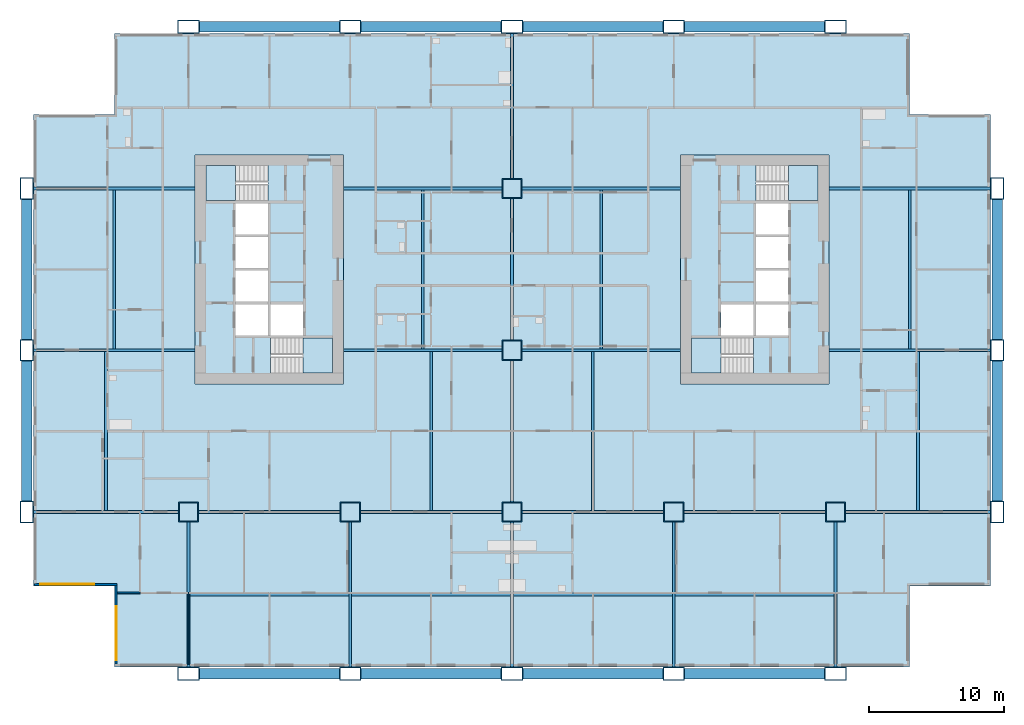
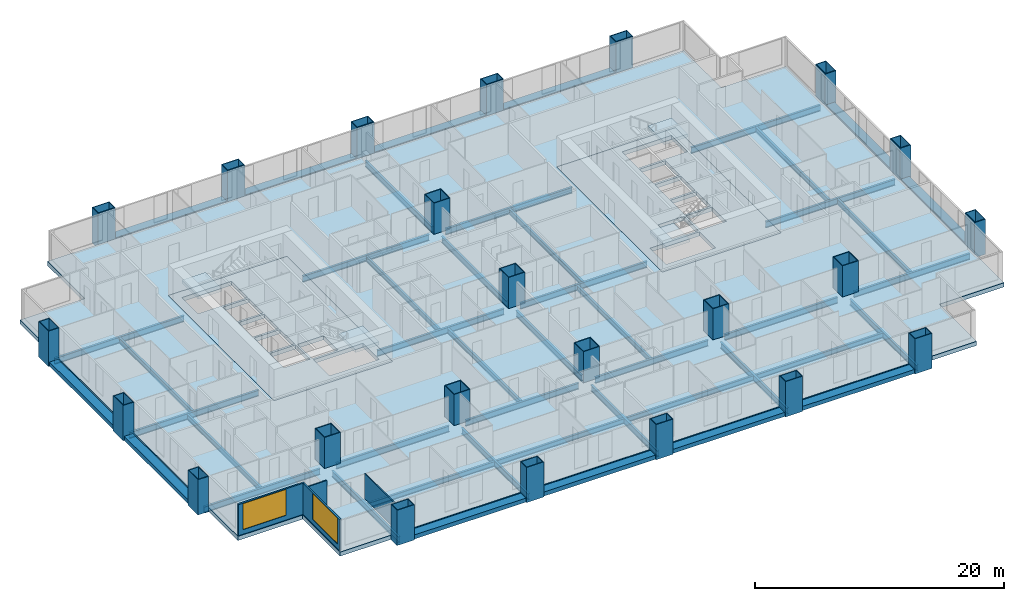
# One storey, part 1 of 14: 46 beams, 23 columns, 7 slabs, 4 walls, 2 windows, 2 openings, 4 elements without a shape of their own.
"""IFC4 building model written with IfcOpenShell, lengths in metres."""

from ifc_helpers import new_model, si_unit, direction, frame, frame_2d, origin, origin_2d, place, context, subcontext, project, spatial, polyline, rectangle, hollow_rectangle, i_section, outline, extrude, material, layer, layer_set, material_profile, profile_set, type_object, element, fill, aggregate, save


model = new_model("IFC4")

# Units and contexts
model_context = context("Model", 3, precision=1e-05, world=origin(), true_north=direction((0.0, 1.0)))
body_context = subcontext(model_context, "Body", "Model", "MODEL_VIEW")
ifc_project = project(units=[si_unit("LENGTHUNIT", "METRE"), si_unit("AREAUNIT", "SQUARE_METRE"), si_unit("VOLUMEUNIT", "CUBIC_METRE"), si_unit("PLANEANGLEUNIT", "RADIAN"), si_unit("MASSUNIT", "GRAM", prefix="KILO")], contexts=[model_context])

# Site, building, storey
site_placement = place(None, origin())
site = spatial("IfcSite", under=ifc_project, at=site_placement, CompositionType="ELEMENT")
building_placement = place(site_placement, origin())
building = spatial("IfcBuilding", under=site, at=building_placement, Name="Kitamizu Gate Tower and Museum", CompositionType="ELEMENT")
storey_placement = place(building_placement, frame((0.0, 0.0, 64.5)))
storey = spatial("IfcBuildingStorey", under=building, at=storey_placement, Name="L15", CompositionType="ELEMENT", Elevation=64.5)

# Columns
ifc_material_1 = material(Name="Steel SM490A bronze coated", Category="steel")
ifc_material_profile_1 = material_profile(ifc_material_1, hollow_rectangle(XDim=1.60009765625, YDim=1.0, WallThickness=0.06494140625, at=origin_2d()), Name="BOX 1600x1000x65")
ifc_profile_set_1 = profile_set([ifc_material_profile_1], Name="Steel SM490A bronze coated")
column_type_1 = type_object("IfcColumnType", Name="Exoskeleton column XC3 BOX 1600x1000x65", PredefinedType="COLUMN", material=ifc_profile_set_1)
for number, where, z_axis, x_axis, name in (
    (1, (0.0, 12.0, -0.39990234375), (0.0, 0.0, 1.0), (0.0, 1.0, 0.0), "Column XC3 1B L15"),
    (2, (0.0, 24.0, -0.39990234375), (0.0, 0.0, 1.0), (0.0, 1.0, 0.0), "Column XC3 1C L15"),
    (3, (0.0, 36.0, -0.39990234375), (0.0, 0.0, 1.0), (0.0, 1.0, 0.0), "Column XC3 1D L15"),
    (4, (12.0, 0.0, -0.39990234375), (0.0, 0.0, 1.0), (1.0, 0.0, 0.0), "Column XC3 2A L15"),
    (5, (12.0, 48.0, -0.39990234375), (0.0, 0.0, 1.0), (1.0, 0.0, 0.0), "Column XC3 2E L15"),
    (6, (24.0, 0.0, -0.39990234375), (0.0, 0.0, 1.0), (1.0, 0.0, 0.0), "Column XC3 3A L15"),
    (7, (24.0, 48.0, -0.39990234375), (0.0, 0.0, 1.0), (1.0, 0.0, 0.0), "Column XC3 3E L15"),
    (8, (36.0, 0.0, -0.39990234375), (0.0, 0.0, 1.0), (1.0, 0.0, 0.0), "Column XC3 4A L15"),
    (9, (36.0, 48.0, -0.39990234375), (0.0, 0.0, 1.0), (1.0, 0.0, 0.0), "Column XC3 4E L15"),
    (10, (48.0, 0.0, -0.39990234375), (0.0, 0.0, 1.0), (1.0, 0.0, 0.0), "Column XC3 5A L15"),
    (11, (48.0, 48.0, -0.39990234375), (0.0, 0.0, 1.0), (1.0, 0.0, 0.0), "Column XC3 5E L15"),
    (12, (60.0, 0.0, -0.39990234375), (0.0, 0.0, 1.0), (1.0, 0.0, 0.0), "Column XC3 6A L15"),
    (13, (60.0, 48.0, -0.39990234375), (0.0, 0.0, 1.0), (1.0, 0.0, 0.0), "Column XC3 6E L15"),
    (14, (72.0, 12.0, -0.39990234375), (0.0, 0.0, 1.0), (0.0, 1.0, 0.0), "Column XC3 7B L15"),
    (15, (72.0, 24.0, -0.39990234375), (0.0, 0.0, 1.0), (0.0, 1.0, 0.0), "Column XC3 7C L15"),
    (16, (72.0, 36.0, -0.39990234375), (0.0, 0.0, 1.0), (0.0, 1.0, 0.0), "Column XC3 7D L15"),
):
    element("IfcColumn", number, at=place(storey_placement, frame(where, z_axis=z_axis, x_axis=x_axis)), inside=storey, type_object=column_type_1, Name=name, PredefinedType="COLUMN", context=body_context, shape_type="SweptSolid", body=[
        extrude(hollow_rectangle(XDim=1.60009765625, YDim=1.0, WallThickness=0.06494140625, at=origin_2d()), origin(), (0.0, 0.0, 1.0), 3.449951171875),
    ])
ifc_material_2 = material(Name="Steel SM490A", Category="steel")
ifc_material_profile_2 = material_profile(ifc_material_2, hollow_rectangle(XDim=1.5, YDim=1.5, WallThickness=0.06494140625, at=origin_2d()), Name="BOX 1500x1500x65")
ifc_profile_set_2 = profile_set([ifc_material_profile_2], Name="Steel SM490A")
column_type_2 = type_object("IfcColumnType", Name="Interior column IC2 BOX 1500x1500x65", PredefinedType="COLUMN", material=ifc_profile_set_2)
for number, where, z_axis, x_axis, name in (
    (17, (12.0, 12.0, 0.0), (0.0, 0.0, 1.0), (1.0, 0.0, 0.0), "Column IC2 2B L15"),
    (18, (24.0, 12.0, 0.0), (0.0, 0.0, 1.0), (1.0, 0.0, 0.0), "Column IC2 3B L15"),
    (19, (36.0, 12.0, 0.0), (0.0, 0.0, 1.0), (1.0, 0.0, 0.0), "Column IC2 4B L15"),
    (20, (36.0, 24.0, 0.0), (0.0, 0.0, 1.0), (1.0, 0.0, 0.0), "Column IC2 4C L15"),
    (21, (36.0, 36.0, 0.0), (0.0, 0.0, 1.0), (1.0, 0.0, 0.0), "Column IC2 4D L15"),
    (22, (48.0, 12.0, 0.0), (0.0, 0.0, 1.0), (1.0, 0.0, 0.0), "Column IC2 5B L15"),
    (23, (60.0, 12.0, 0.0), (0.0, 0.0, 1.0), (1.0, 0.0, 0.0), "Column IC2 6B L15"),
):
    element("IfcColumn", number, at=place(storey_placement, frame(where, z_axis=z_axis, x_axis=x_axis)), inside=storey, type_object=column_type_2, Name=name, PredefinedType="COLUMN", context=body_context, shape_type="SweptSolid", body=[
        extrude(hollow_rectangle(XDim=1.5, YDim=1.5, WallThickness=0.06494140625, at=origin_2d()), origin(), (0.0, 0.0, 1.0), 3.050048828125),
    ])

# Beams
ifc_material_3 = material(Name="Steel SM490A bronze coated", Category="steel")
ifc_material_profile_3 = material_profile(ifc_material_3, hollow_rectangle(XDim=0.800048828125, YDim=0.39990234375, WallThickness=0.0400390625, at=origin_2d()), Name="BOX 800x400x40")
ifc_profile_set_3 = profile_set([ifc_material_profile_3], Name="Steel SM490A bronze coated")
beam_type_1 = type_object("IfcBeamType", Name="Exoskeleton spandrel beam SB1 BOX 800x400x40", PredefinedType="SPANDREL", material=ifc_profile_set_3)
for number, where, z_axis, x_axis, name in (
    (24, (12.800048828125, 0.0, -0.199951171875), (1.0, 0.0, 0.0), (0.0, 1.0, 0.0), "Exoskeleton spandrel beam south 12 L15"),
    (25, (24.800048828125, 0.0, -0.199951171875), (1.0, 0.0, 0.0), (0.0, 1.0, 0.0), "Exoskeleton spandrel beam south 24 L15"),
    (26, (36.800048828125, 0.0, -0.199951171875), (1.0, 0.0, 0.0), (0.0, 1.0, 0.0), "Exoskeleton spandrel beam south 36 L15"),
    (27, (48.800048828125, 0.0, -0.199951171875), (1.0, 0.0, 0.0), (0.0, 1.0, 0.0), "Exoskeleton spandrel beam south 48 L15"),
    (28, (12.800048828125, 48.0, -0.199951171875), (1.0, 0.0, 0.0), (0.0, 1.0, 0.0), "Exoskeleton spandrel beam north 12 L15"),
    (29, (24.800048828125, 48.0, -0.199951171875), (1.0, 0.0, 0.0), (0.0, 1.0, 0.0), "Exoskeleton spandrel beam north 24 L15"),
    (30, (36.800048828125, 48.0, -0.199951171875), (1.0, 0.0, 0.0), (0.0, 1.0, 0.0), "Exoskeleton spandrel beam north 36 L15"),
    (31, (48.800048828125, 48.0, -0.199951171875), (1.0, 0.0, 0.0), (0.0, 1.0, 0.0), "Exoskeleton spandrel beam north 48 L15"),
    (32, (0.0, 12.800048828125, -0.199951171875), (0.0, 1.0, 0.0), (-1.0, 0.0, 0.0), "Exoskeleton spandrel beam west 12 L15"),
    (33, (0.0, 24.800048828125, -0.199951171875), (0.0, 1.0, 0.0), (-1.0, 0.0, 0.0), "Exoskeleton spandrel beam west 24 L15"),
    (34, (72.0, 12.800048828125, -0.199951171875), (0.0, 1.0, 0.0), (-1.0, 0.0, 0.0), "Exoskeleton spandrel beam east 12 L15"),
    (35, (72.0, 24.800048828125, -0.199951171875), (0.0, 1.0, 0.0), (-1.0, 0.0, 0.0), "Exoskeleton spandrel beam east 24 L15"),
):
    element("IfcBeam", number, at=place(storey_placement, frame(where, z_axis=z_axis, x_axis=x_axis)), inside=storey, type_object=beam_type_1, Name=name, PredefinedType="SPANDREL", context=body_context, shape_type="SweptSolid", body=[
        extrude(hollow_rectangle(XDim=0.800048828125, YDim=0.39990234375, WallThickness=0.0400390625, at=origin_2d()), origin(), (0.0, 0.0, 1.0), 10.39990234375),
    ])
ifc_material_4 = material(Name="Steel SM490A", Category="steel")
ifc_material_profile_4 = material_profile(ifc_material_4, i_section(OverallWidth=0.199951171875, OverallDepth=0.5, WebThickness=0.010009765625, FlangeThickness=0.01611328125, FilletRadius=0.02001953125, at=origin_2d()), Name="H-500x200x10x16")
ifc_profile_set_4 = profile_set([ifc_material_profile_4], Name="Steel SM490A")
beam_type_2 = type_object("IfcBeamType", Name="Floor beam FB1 H 500x200x10x16", PredefinedType="BEAM", material=ifc_profile_set_4)
for number, where, z_axis, x_axis, name in (
    (36, (12.10009765625, 5.875, -0.64990234375), (1.0, 0.0, 0.0), (0.0, 1.0, 0.0), "Floor beam FB1 L15-1"),
    (37, (24.10009765625, 5.875, -0.64990234375), (1.0, 0.0, 0.0), (0.0, 1.0, 0.0), "Floor beam FB1 L15-2"),
    (38, (36.10009765625, 5.875, -0.64990234375), (1.0, 0.0, 0.0), (0.0, 1.0, 0.0), "Floor beam FB1 L15-3"),
    (39, (48.10009765625, 5.875, -0.64990234375), (1.0, 0.0, 0.0), (0.0, 1.0, 0.0), "Floor beam FB1 L15-4"),
    (40, (5.875, 12.10009765625, -0.64990234375), (0.0, 1.0, 0.0), (-1.0, 0.0, 0.0), "Floor beam FB1 L15-5"),
    (41, (30.0, 12.10009765625, -0.64990234375), (0.0, 1.0, 0.0), (-1.0, 0.0, 0.0), "Floor beam FB1 L15-6"),
    (42, (42.0, 12.10009765625, -0.64990234375), (0.0, 1.0, 0.0), (-1.0, 0.0, 0.0), "Floor beam FB1 L15-7"),
    (43, (66.125, 12.10009765625, -0.64990234375), (0.0, 1.0, 0.0), (-1.0, 0.0, 0.0), "Floor beam FB1 L15-8"),
    (44, (6.5, 24.10009765625, -0.64990234375), (0.0, 1.0, 0.0), (-1.0, 0.0, 0.0), "Floor beam FB1 L15-9"),
    (45, (29.375, 24.10009765625, -0.64990234375), (0.0, 1.0, 0.0), (-1.0, 0.0, 0.0), "Floor beam FB1 L15-10"),
    (46, (42.625, 24.10009765625, -0.64990234375), (0.0, 1.0, 0.0), (-1.0, 0.0, 0.0), "Floor beam FB1 L15-11"),
    (47, (65.5, 24.10009765625, -0.64990234375), (0.0, 1.0, 0.0), (-1.0, 0.0, 0.0), "Floor beam FB1 L15-12"),
):
    element("IfcBeam", number, at=place(storey_placement, frame(where, z_axis=z_axis, x_axis=x_axis)), inside=storey, type_object=beam_type_2, Name=name, PredefinedType="BEAM", context=body_context, shape_type="SweptSolid", body=[
        extrude(i_section(OverallWidth=0.199951171875, OverallDepth=0.5, WebThickness=0.010009765625, FlangeThickness=0.01611328125, FilletRadius=0.02001953125, at=origin_2d()), origin(), (0.0, 0.0, 1.0), 11.7998046875),
    ])
ifc_material_5 = material(Name="Steel SM490A", Category="steel")
ifc_material_profile_5 = material_profile(ifc_material_5, i_section(OverallWidth=0.199951171875, OverallDepth=0.60009765625, WebThickness=0.010986328125, FlangeThickness=0.01708984375, FilletRadius=0.02197265625, at=origin_2d()), Name="H-600x200x11x17")
ifc_profile_set_5 = profile_set([ifc_material_profile_5], Name="Steel SM490A")
beam_type_3 = type_object("IfcBeamType", Name="Floor girder FG1 H 600x200x11x17", PredefinedType="BEAM", material=ifc_profile_set_5)
for number, where, z_axis, x_axis, name in (
    (48, (12.0, 0.5, -0.699951171875), (0.0, 1.0, 0.0), (-1.0, 0.0, 0.0), "Floor girder FG1 x12 L15"),
    (49, (24.0, 0.5, -0.699951171875), (0.0, 1.0, 0.0), (-1.0, 0.0, 0.0), "Floor girder FG1 x24 L15"),
    (50, (36.0, 0.5, -0.699951171875), (0.0, 1.0, 0.0), (-1.0, 0.0, 0.0), "Floor girder FG1 x36 L15"),
):
    element("IfcBeam", number, at=place(storey_placement, frame(where, z_axis=z_axis, x_axis=x_axis)), inside=storey, type_object=beam_type_3, Name=name, PredefinedType="BEAM", context=body_context, shape_type="SweptSolid", body=[
        extrude(i_section(OverallWidth=0.199951171875, OverallDepth=0.60009765625, WebThickness=0.010986328125, FlangeThickness=0.01708984375, FilletRadius=0.02197265625, at=origin_2d()), origin(), (0.0, 0.0, 1.0), 10.75),
    ])
for number, where, z_axis, x_axis, name in (
    (51, (36.0, 12.75, -0.699951171875), (0.0, 1.0, 0.0), (-1.0, 0.0, 0.0), "Floor girder FG1 x36 L15"),
    (52, (36.0, 24.75, -0.699951171875), (0.0, 1.0, 0.0), (-1.0, 0.0, 0.0), "Floor girder FG1 x36 L15"),
):
    element("IfcBeam", number, at=place(storey_placement, frame(where, z_axis=z_axis, x_axis=x_axis)), inside=storey, type_object=beam_type_3, Name=name, PredefinedType="BEAM", context=body_context, shape_type="SweptSolid", body=[
        extrude(i_section(OverallWidth=0.199951171875, OverallDepth=0.60009765625, WebThickness=0.010986328125, FlangeThickness=0.01708984375, FilletRadius=0.02197265625, at=origin_2d()), origin(), (0.0, 0.0, 1.0), 10.5),
    ])
for number, where, z_axis, x_axis, name in (
    (53, (36.0, 36.75, -0.699951171875), (0.0, 1.0, 0.0), (-1.0, 0.0, 0.0), "Floor girder FG1 x36 L15"),
    (54, (48.0, 0.5, -0.699951171875), (0.0, 1.0, 0.0), (-1.0, 0.0, 0.0), "Floor girder FG1 x48 L15"),
    (55, (60.0, 0.5, -0.699951171875), (0.0, 1.0, 0.0), (-1.0, 0.0, 0.0), "Floor girder FG1 x60 L15"),
    (56, (0.5, 12.0, -0.699951171875), (1.0, 0.0, 0.0), (0.0, 1.0, 0.0), "Floor girder FG1 y12 L15"),
):
    element("IfcBeam", number, at=place(storey_placement, frame(where, z_axis=z_axis, x_axis=x_axis)), inside=storey, type_object=beam_type_3, Name=name, PredefinedType="BEAM", context=body_context, shape_type="SweptSolid", body=[
        extrude(i_section(OverallWidth=0.199951171875, OverallDepth=0.60009765625, WebThickness=0.010986328125, FlangeThickness=0.01708984375, FilletRadius=0.02197265625, at=origin_2d()), origin(), (0.0, 0.0, 1.0), 10.75),
    ])
for number, where, z_axis, x_axis, name in (
    (57, (12.75, 12.0, -0.699951171875), (1.0, 0.0, 0.0), (0.0, 1.0, 0.0), "Floor girder FG1 y12 L15"),
    (58, (24.75, 12.0, -0.699951171875), (1.0, 0.0, 0.0), (0.0, 1.0, 0.0), "Floor girder FG1 y12 L15"),
    (59, (36.75, 12.0, -0.699951171875), (1.0, 0.0, 0.0), (0.0, 1.0, 0.0), "Floor girder FG1 y12 L15"),
    (60, (48.75, 12.0, -0.699951171875), (1.0, 0.0, 0.0), (0.0, 1.0, 0.0), "Floor girder FG1 y12 L15"),
):
    element("IfcBeam", number, at=place(storey_placement, frame(where, z_axis=z_axis, x_axis=x_axis)), inside=storey, type_object=beam_type_3, Name=name, PredefinedType="BEAM", context=body_context, shape_type="SweptSolid", body=[
        extrude(i_section(OverallWidth=0.199951171875, OverallDepth=0.60009765625, WebThickness=0.010986328125, FlangeThickness=0.01708984375, FilletRadius=0.02197265625, at=origin_2d()), origin(), (0.0, 0.0, 1.0), 10.5),
    ])
beam_1_placement = place(storey_placement, frame((60.75, 12.0, -0.699951171875), z_axis=(1.0, 0.0, 0.0), x_axis=(0.0, 1.0, 0.0)))
element("IfcBeam", 61, at=beam_1_placement, inside=storey, type_object=beam_type_3, Name="Floor girder FG1 y12 L15", PredefinedType="BEAM", context=body_context, shape_type="SweptSolid", body=[
    extrude(i_section(OverallWidth=0.199951171875, OverallDepth=0.60009765625, WebThickness=0.010986328125, FlangeThickness=0.01708984375, FilletRadius=0.02197265625, at=origin_2d()), origin(), (0.0, 0.0, 1.0), 10.75),
])
beam_2_placement = place(storey_placement, frame((0.5, 24.0, -0.699951171875), z_axis=(1.0, 0.0, 0.0), x_axis=(0.0, 1.0, 0.0)))
element("IfcBeam", 62, at=beam_2_placement, inside=storey, type_object=beam_type_3, Name="Floor girder FG1 y24 L15", PredefinedType="BEAM", context=body_context, shape_type="SweptSolid", body=[
    extrude(i_section(OverallWidth=0.199951171875, OverallDepth=0.60009765625, WebThickness=0.010986328125, FlangeThickness=0.01708984375, FilletRadius=0.02197265625, at=origin_2d()), origin(), (0.0, 0.0, 1.0), 12.0),
])
for number, where, z_axis, x_axis, name in (
    (63, (23.5, 24.0, -0.699951171875), (1.0, 0.0, 0.0), (0.0, 1.0, 0.0), "Floor girder FG1 y24 L15"),
    (64, (36.75, 24.0, -0.699951171875), (1.0, 0.0, 0.0), (0.0, 1.0, 0.0), "Floor girder FG1 y24 L15"),
):
    element("IfcBeam", number, at=place(storey_placement, frame(where, z_axis=z_axis, x_axis=x_axis)), inside=storey, type_object=beam_type_3, Name=name, PredefinedType="BEAM", context=body_context, shape_type="SweptSolid", body=[
        extrude(i_section(OverallWidth=0.199951171875, OverallDepth=0.60009765625, WebThickness=0.010986328125, FlangeThickness=0.01708984375, FilletRadius=0.02197265625, at=origin_2d()), origin(), (0.0, 0.0, 1.0), 11.75),
    ])
for number, where, z_axis, x_axis, name in (
    (65, (59.5, 24.0, -0.699951171875), (1.0, 0.0, 0.0), (0.0, 1.0, 0.0), "Floor girder FG1 y24 L15"),
    (66, (0.5, 36.0, -0.699951171875), (1.0, 0.0, 0.0), (0.0, 1.0, 0.0), "Floor girder FG1 y36 L15"),
):
    element("IfcBeam", number, at=place(storey_placement, frame(where, z_axis=z_axis, x_axis=x_axis)), inside=storey, type_object=beam_type_3, Name=name, PredefinedType="BEAM", context=body_context, shape_type="SweptSolid", body=[
        extrude(i_section(OverallWidth=0.199951171875, OverallDepth=0.60009765625, WebThickness=0.010986328125, FlangeThickness=0.01708984375, FilletRadius=0.02197265625, at=origin_2d()), origin(), (0.0, 0.0, 1.0), 12.0),
    ])
for number, where, z_axis, x_axis, name in (
    (67, (23.5, 36.0, -0.699951171875), (1.0, 0.0, 0.0), (0.0, 1.0, 0.0), "Floor girder FG1 y36 L15"),
    (68, (36.75, 36.0, -0.699951171875), (1.0, 0.0, 0.0), (0.0, 1.0, 0.0), "Floor girder FG1 y36 L15"),
):
    element("IfcBeam", number, at=place(storey_placement, frame(where, z_axis=z_axis, x_axis=x_axis)), inside=storey, type_object=beam_type_3, Name=name, PredefinedType="BEAM", context=body_context, shape_type="SweptSolid", body=[
        extrude(i_section(OverallWidth=0.199951171875, OverallDepth=0.60009765625, WebThickness=0.010986328125, FlangeThickness=0.01708984375, FilletRadius=0.02197265625, at=origin_2d()), origin(), (0.0, 0.0, 1.0), 11.75),
    ])
beam_3_placement = place(storey_placement, frame((59.5, 36.0, -0.699951171875), z_axis=(1.0, 0.0, 0.0), x_axis=(0.0, 1.0, 0.0)))
element("IfcBeam", 69, at=beam_3_placement, inside=storey, type_object=beam_type_3, Name="Floor girder FG1 y36 L15", PredefinedType="BEAM", context=body_context, shape_type="SweptSolid", body=[
    extrude(i_section(OverallWidth=0.199951171875, OverallDepth=0.60009765625, WebThickness=0.010986328125, FlangeThickness=0.01708984375, FilletRadius=0.02197265625, at=origin_2d()), origin(), (0.0, 0.0, 1.0), 12.0),
])

# Slabs
ifc_material_6 = material(Name="Concrete Fc36", Category="concrete")
ifc_layer_1 = layer(ifc_material_6, 0.39990234375)
ifc_layer_set_1 = layer_set([ifc_layer_1], Name="Concrete Fc36")
slab_type_1 = type_object("IfcSlabType", Name="Core floor slab 400", PredefinedType="FLOOR", material=ifc_layer_set_1)
slab_1_placement = place(storey_placement, frame((0.0, 0.0, -0.39990234375)))
element("IfcSlab", 70, at=slab_1_placement, inside=storey, type_object=slab_type_1, Name="Core floor slab W", PredefinedType="FLOOR", context=body_context, shape_type="SweptSolid", body=[
    extrude(outline(polyline([(12.5, 21.5), (23.5, 21.5), (23.5, 38.5), (12.5, 38.5), (12.5, 21.5)]), holes=[polyline([(15.5, 25.10009765625), (17.89990234375, 25.10009765625), (17.89990234375, 27.39990234375), (15.5, 27.39990234375), (15.5, 25.10009765625)]), polyline([(15.5, 27.60009765625), (17.89990234375, 27.60009765625), (17.89990234375, 29.89990234375), (15.5, 29.89990234375), (15.5, 27.60009765625)]), polyline([(15.5, 30.10009765625), (17.89990234375, 30.10009765625), (17.89990234375, 32.39990234375), (15.5, 32.39990234375), (15.5, 30.10009765625)]), polyline([(15.5, 32.60009765625), (17.89990234375, 32.60009765625), (17.89990234375, 34.89990234375), (15.5, 34.89990234375), (15.5, 32.60009765625)]), polyline([(18.10009765625, 25.10009765625), (20.5, 25.10009765625), (20.5, 27.39990234375), (18.10009765625, 27.39990234375), (18.10009765625, 25.10009765625)]), polyline([(18.1005859375, 22.300048828125), (22.699951171875, 22.300048828125), (22.699951171875, 24.89990234375), (18.1005859375, 24.89990234375), (18.1005859375, 22.300048828125)]), polyline([(13.300048828125, 35.10009765625), (17.8994140625, 35.10009765625), (17.8994140625, 37.699951171875), (13.300048828125, 37.699951171875), (13.300048828125, 35.10009765625)])]), origin(), (0.0, 0.0, 1.0), 0.39990234375),
])
slab_2_placement = place(storey_placement, frame((0.0, 0.0, -0.39990234375)))
element("IfcSlab", 71, at=slab_2_placement, inside=storey, type_object=slab_type_1, Name="Core floor slab E", PredefinedType="FLOOR", context=body_context, shape_type="SweptSolid", body=[
    extrude(outline(polyline([(48.5, 21.5), (59.5, 21.5), (59.5, 38.5), (48.5, 38.5), (48.5, 21.5)]), holes=[polyline([(54.10009765625, 25.10009765625), (56.5, 25.10009765625), (56.5, 27.39990234375), (54.10009765625, 27.39990234375), (54.10009765625, 25.10009765625)]), polyline([(54.10009765625, 27.60009765625), (56.5, 27.60009765625), (56.5, 29.89990234375), (54.10009765625, 29.89990234375), (54.10009765625, 27.60009765625)]), polyline([(54.10009765625, 30.10009765625), (56.5, 30.10009765625), (56.5, 32.39990234375), (54.10009765625, 32.39990234375), (54.10009765625, 30.10009765625)]), polyline([(54.10009765625, 32.60009765625), (56.5, 32.60009765625), (56.5, 34.89990234375), (54.10009765625, 34.89990234375), (54.10009765625, 32.60009765625)]), polyline([(51.5, 25.10009765625), (53.89990234375, 25.10009765625), (53.89990234375, 27.39990234375), (51.5, 27.39990234375), (51.5, 25.10009765625)]), polyline([(49.300048828125, 22.300048828125), (53.8994140625, 22.300048828125), (53.8994140625, 24.89990234375), (49.300048828125, 24.89990234375), (49.300048828125, 22.300048828125)]), polyline([(54.1005859375, 35.10009765625), (58.699951171875, 35.10009765625), (58.699951171875, 37.699951171875), (54.1005859375, 37.699951171875), (54.1005859375, 35.10009765625)])]), origin(), (0.0, 0.0, 1.0), 0.39990234375),
])
ifc_material_7 = material(Name="Concrete Fc36", Category="concrete")
ifc_layer_2 = layer(ifc_material_7, 0.39990234375)
ifc_layer_set_2 = layer_set([ifc_layer_2], Name="Concrete Fc36")
slab_type_2 = type_object("IfcSlabType", Name="Post tensioned flat slab 400", PredefinedType="FLOOR", material=ifc_layer_set_2)
slab_3_placement = place(storey_placement, frame((0.0, 0.0, -0.39990234375)))
element("IfcSlab", 72, at=slab_3_placement, inside=storey, type_object=slab_type_2, Name="Floor slab L15-1", PredefinedType="FLOOR", context=body_context, shape_type="SweptSolid", body=[
    extrude(outline(polyline([(0.5, 6.5), (0.5, 41.5), (6.5, 41.5), (6.5, 47.5), (65.5, 47.5), (65.5, 41.5), (71.5, 41.5), (71.5, 6.5), (65.5, 6.5), (65.5, 0.5), (6.5, 0.5), (6.5, 6.5), (0.5, 6.5)]), holes=[polyline([(59.5, 38.5), (48.5, 38.5), (48.5, 21.5), (59.5, 21.5), (59.5, 38.5)]), polyline([(12.5, 38.5), (12.5, 21.5), (23.5, 21.5), (23.5, 38.5), (12.5, 38.5)])]), origin(), (0.0, 0.0, 1.0), 0.39990234375),
])

# Stair, slab
ifc_material_8 = material(Name="Concrete Fc42", Category="concrete")
stair_type = type_object("IfcStairType", Name="Exit stair 1200 wide 192 rise 300 going", PredefinedType="HALF_TURN_STAIR", material=ifc_material_8)
stair_1_placement = place(storey_placement, origin())
stair_1 = element("IfcStair", 73, at=stair_1_placement, inside=storey, type_object=stair_type, Name="Exit stair ST1", PredefinedType="HALF_TURN_STAIR")
ifc_material_9 = material(Name="Concrete Fc42", Category="concrete")
ifc_layer_3 = layer(ifc_material_9, 0.300048828125)
ifc_layer_set_3 = layer_set([ifc_layer_3], Name="Concrete Fc42")
slab_type_3 = type_object("IfcSlabType", Name="Stair landing 300", PredefinedType="LANDING", material=ifc_layer_set_3)
slab_4_placement = place(storey_placement, frame((0.0, 0.0, 1.425048828125)))
slab_4 = element("IfcSlab", 74, at=slab_4_placement, type_object=slab_type_3, Name="ST1 landing 1", PredefinedType="LANDING", context=body_context, shape_type="SweptSolid", body=[
    extrude(outline(polyline([(20.5, 22.300048828125), (22.699951171875, 22.300048828125), (22.699951171875, 24.89990234375), (20.5, 24.89990234375), (20.5, 22.300048828125)])), origin(), (0.0, 0.0, 1.0), 0.300048828125),
])
aggregate(stair_1, [slab_4])

stair_2_placement = place(storey_placement, origin())
stair_2 = element("IfcStair", 75, at=stair_2_placement, inside=storey, type_object=stair_type, Name="Exit stair ST2", PredefinedType="HALF_TURN_STAIR")
slab_5_placement = place(storey_placement, frame((0.0, 0.0, 1.425048828125)))
slab_5 = element("IfcSlab", 76, at=slab_5_placement, type_object=slab_type_3, Name="ST2 landing 1", PredefinedType="LANDING", context=body_context, shape_type="SweptSolid", body=[
    extrude(outline(polyline([(13.300048828125, 35.10009765625), (15.5, 35.10009765625), (15.5, 37.699951171875), (13.300048828125, 37.699951171875), (13.300048828125, 35.10009765625)])), origin(), (0.0, 0.0, 1.0), 0.300048828125),
])
aggregate(stair_2, [slab_5])

stair_3_placement = place(storey_placement, origin())
stair_3 = element("IfcStair", 77, at=stair_3_placement, inside=storey, type_object=stair_type, Name="Exit stair ST3", PredefinedType="HALF_TURN_STAIR")
slab_6_placement = place(storey_placement, frame((0.0, 0.0, 1.425048828125)))
slab_6 = element("IfcSlab", 78, at=slab_6_placement, type_object=slab_type_3, Name="ST3 landing 1", PredefinedType="LANDING", context=body_context, shape_type="SweptSolid", body=[
    extrude(outline(polyline([(49.300048828125, 22.300048828125), (51.5, 22.300048828125), (51.5, 24.89990234375), (49.300048828125, 24.89990234375), (49.300048828125, 22.300048828125)])), origin(), (0.0, 0.0, 1.0), 0.300048828125),
])
aggregate(stair_3, [slab_6])

stair_4_placement = place(storey_placement, origin())
stair_4 = element("IfcStair", 79, at=stair_4_placement, inside=storey, type_object=stair_type, Name="Exit stair ST4", PredefinedType="HALF_TURN_STAIR")
slab_7_placement = place(storey_placement, frame((0.0, 0.0, 1.425048828125)))
slab_7 = element("IfcSlab", 80, at=slab_7_placement, type_object=slab_type_3, Name="ST4 landing 1", PredefinedType="LANDING", context=body_context, shape_type="SweptSolid", body=[
    extrude(outline(polyline([(56.5, 35.10009765625), (58.699951171875, 35.10009765625), (58.699951171875, 37.699951171875), (56.5, 37.699951171875), (56.5, 35.10009765625)])), origin(), (0.0, 0.0, 1.0), 0.300048828125),
])
aggregate(stair_4, [slab_7])

# Walls
ifc_material_10 = material(Name="Gypsum board on galvanised stud")
ifc_layer_4 = layer(ifc_material_10, 0.10009765625)
ifc_layer_set_4 = layer_set([ifc_layer_4], Name="Gypsum board on galvanised stud")
wall_type_1 = type_object("IfcWallType", Name="Partition 100 NOT RATED", PredefinedType="PARTITIONING", material=ifc_layer_set_4)
wall_1_placement = place(storey_placement, frame((12.0, 0.719970703125, 0.0), z_axis=(0.0, 0.0, 1.0), x_axis=(0.0, 1.0, 0.0)))
element("IfcWall", 81, at=wall_1_placement, inside=storey, type_object=wall_type_1, Name="Partition L15-001", PredefinedType="PARTITIONING", context=body_context, shape_type="SweptSolid", body=[
    extrude(rectangle(XDim=5.280029296875, YDim=0.10009765625, at=frame_2d((2.64013671875, 0.0))), origin(), (0.0, 0.0, 1.0), 2.449951171875),
])
wall_2_placement = place(storey_placement, frame((8.4150390625, 6.0, 0.0), z_axis=(0.0, 0.0, 1.0), x_axis=(-1.0, 0.0, 0.0)))
element("IfcWall", 82, at=wall_2_placement, inside=storey, type_object=wall_type_1, Name="Partition L15-002", PredefinedType="PARTITIONING", context=body_context, shape_type="SweptSolid", body=[
    extrude(rectangle(XDim=1.695068359375, YDim=0.10009765625, at=frame_2d((0.84765625, 0.0))), origin(), (0.0, 0.0, 1.0), 3.050048828125),
])

# Wall, opening, window
ifc_material_11 = material(Name="Bronze anodised aluminium frame with insulated spandrel and tinted glass", Category="aluminium")
ifc_layer_5 = layer(ifc_material_11, 0.14990234375)
ifc_layer_set_5 = layer_set([ifc_layer_5], Name="Bronze anodised aluminium frame with insulated spandrel and tinted glass")
wall_type_2 = type_object("IfcWallType", Name="WINDOW WALL 150 BRONZE FRAME EI 30", PredefinedType="ELEMENTEDWALL", material=ifc_layer_set_5)
wall_3_placement = place(storey_placement, frame((0.56005859375, 6.635009765625, 0.0), z_axis=(0.0, 0.0, 1.0), x_axis=(1.0, 0.0, 0.0)))
wall_3 = element("IfcWall", 83, at=wall_3_placement, inside=storey, type_object=wall_type_2, Name="Window wall south L15", PredefinedType="ELEMENTEDWALL", context=body_context, shape_type="SweptSolid", body=[
    extrude(rectangle(XDim=6.14990234375, YDim=0.14990234375, at=frame_2d((3.074951171875, 0.0))), origin(), (0.0, 0.0, 1.0), 3.050048828125),
])
opening_1_placement = place(wall_3_placement, frame((0.43994140625, 0.0, 0.449951171875)))
opening_1 = element("IfcOpeningElement", 84, at=opening_1_placement, cuts=wall_3, Name="Opening W16", PredefinedType="OPENING", context=body_context, shape_type="SweptSolid", body=[
    extrude(rectangle(XDim=4.0, YDim=2.550048828125, at=frame_2d((2.0, 1.27490234375))), frame((0.0, 0.0849609375, 0.0), z_axis=(0.0, -1.0, 0.0), x_axis=(1.0, 0.0, 0.0)), (0.0, 0.0, 1.0), 0.169921875),
])
ifc_material_12 = material(Name="Bronze anodised aluminium frame, tinted triple glazing", Category="aluminium")
window_type = type_object("IfcWindowType", Name="WINDOW 4000 x 2550 SILL 450", PartitioningType="SINGLE_PANEL", PredefinedType="WINDOW", material=ifc_material_12)
window_1_placement = place(opening_1_placement, origin())
window_1 = element("IfcWindow", 85, at=window_1_placement, inside=storey, type_object=window_type, Name="Window W16 L15", OverallHeight=2.550048828125, OverallWidth=4.0, PartitioningType="SINGLE_PANEL", PredefinedType="WINDOW", context=body_context, shape_type="SweptSolid", body=[
    extrude(rectangle(XDim=4.0, YDim=2.550048828125, at=frame_2d((2.0, 1.27490234375))), frame((0.0, 0.030029296875, 0.0), z_axis=(0.0, -1.0, 0.0), x_axis=(1.0, 0.0, 0.0)), (0.0, 0.0, 1.0), 0.06005859375),
])
fill(opening_1, window_1)

wall_4_placement = place(storey_placement, frame((6.635009765625, 0.7099609375, 0.0), z_axis=(0.0, 0.0, 1.0), x_axis=(0.0, 1.0, 0.0)))
wall_4 = element("IfcWall", 86, at=wall_4_placement, inside=storey, type_object=wall_type_2, Name="Window wall west L15", PredefinedType="ELEMENTEDWALL", context=body_context, shape_type="SweptSolid", body=[
    extrude(rectangle(XDim=5.85009765625, YDim=0.14990234375, at=frame_2d((2.925048828125, 0.0))), origin(), (0.0, 0.0, 1.0), 3.050048828125),
])
opening_2_placement = place(wall_4_placement, frame((0.2900390625, 0.0, 0.449951171875)))
opening_2 = element("IfcOpeningElement", 87, at=opening_2_placement, cuts=wall_4, Name="Opening W16", PredefinedType="OPENING", context=body_context, shape_type="SweptSolid", body=[
    extrude(rectangle(XDim=4.0, YDim=2.550048828125, at=frame_2d((2.0, 1.27490234375))), frame((0.0, 0.0849609375, 0.0), z_axis=(0.0, -1.0, 0.0), x_axis=(1.0, 0.0, 0.0)), (0.0, 0.0, 1.0), 0.169921875),
])
window_2_placement = place(opening_2_placement, origin())
window_2 = element("IfcWindow", 88, at=window_2_placement, inside=storey, type_object=window_type, Name="Window W16 L15", OverallHeight=2.550048828125, OverallWidth=4.0, PartitioningType="SINGLE_PANEL", PredefinedType="WINDOW", context=body_context, shape_type="SweptSolid", body=[
    extrude(rectangle(XDim=4.0, YDim=2.550048828125, at=frame_2d((2.0, 1.27490234375))), frame((0.0, 0.030029296875, 0.0), z_axis=(0.0, -1.0, 0.0), x_axis=(1.0, 0.0, 0.0)), (0.0, 0.0, 1.0), 0.06005859375),
])
fill(opening_2, window_2)

save(model, "model.ifc")
